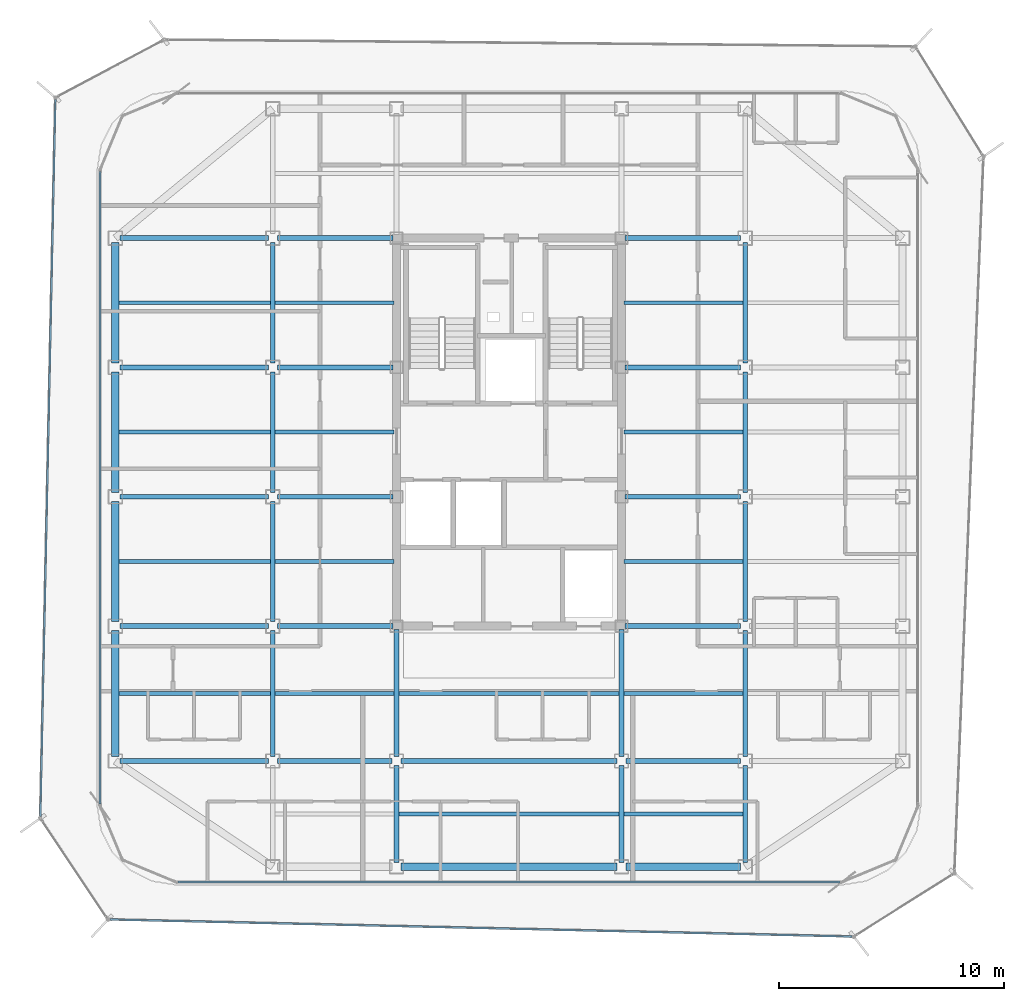
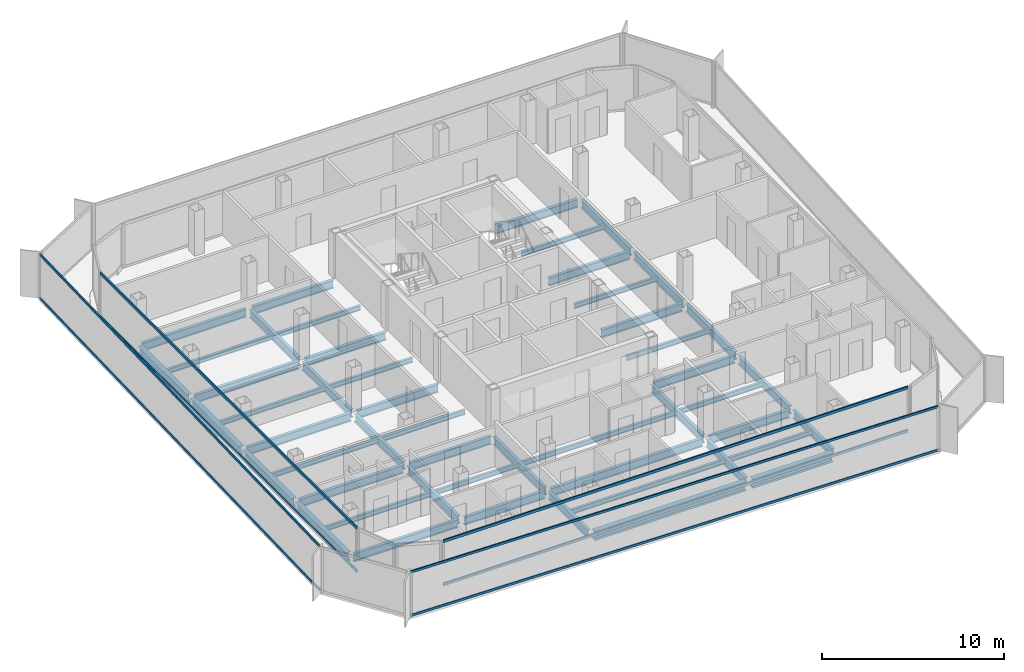
# One storey, part 3 of 15: 50 beams, 8 members, 4 elements without a shape of their own.
"""IFC4 building model written with IfcOpenShell, lengths in metres."""

from ifc_helpers import new_model, si_unit, direction, frame, origin, origin_2d, place, context, subcontext, project, spatial, hollow_rectangle, i_section, extrude, source, transform, mapped, material, layer, layer_set, material_profile, profile_set, type_object, element, aggregate, save


model = new_model("IFC4")

# Units and contexts
model_context = context("Model", 3, precision=1e-05, world=origin(), true_north=direction((0.0, 1.0)))
body_context = subcontext(model_context, "Body", "Model", "MODEL_VIEW")
ifc_project = project(units=[si_unit("LENGTHUNIT", "METRE"), si_unit("AREAUNIT", "SQUARE_METRE"), si_unit("VOLUMEUNIT", "CUBIC_METRE"), si_unit("PLANEANGLEUNIT", "RADIAN"), si_unit("MASSUNIT", "GRAM", prefix="KILO")], contexts=[model_context])

# Site, building, storey
site_placement = place(None, origin())
site = spatial("IfcSite", under=ifc_project, at=site_placement, CompositionType="ELEMENT")
building_placement = place(site_placement, origin())
building = spatial("IfcBuilding", under=site, at=building_placement, Name="Kolveth Station Tower", CompositionType="ELEMENT")
storey_placement = place(building_placement, frame((0.0, 0.0, 255.300048828125)))
storey = spatial("IfcBuildingStorey", under=building, at=storey_placement, Name="L73", CompositionType="ELEMENT", Elevation=255.300048828125)

# Beams
ifc_material_1 = material(Name="Steel S355", Category="steel")
ifc_material_profile_1 = material_profile(ifc_material_1, i_section(OverallWidth=0.323974609375, OverallDepth=0.611083984375, WebThickness=0.0126953125, FlangeThickness=0.01904296875, at=origin_2d()), Name="W610x155")
ifc_profile_set_1 = profile_set([ifc_material_profile_1], Name="Steel S355")
beam_type_1 = type_object("IfcBeamType", Name="Beam_SP2", PredefinedType="SPANDREL", material=ifc_profile_set_1)
shared_shape_1 = source(origin(), body_context, "Body", "SweptSolid", [
    extrude(i_section(OverallWidth=0.323974609375, OverallDepth=0.611083984375, WebThickness=0.0126953125, FlangeThickness=0.01904296875, at=origin_2d()), origin(), (0.0, 0.0, 1.0), 5.10009765625),
])
beam_1_placement = place(storey_placement, frame((28.699951171875, 0.800048828125, -0.525634765625), z_axis=(1.0, 0.0, 0.0), x_axis=(0.0, 1.0, 0.0)))
element("IfcBeam", 1, at=beam_1_placement, inside=storey, type_object=beam_type_1, Name="L73 Perimeter Spandrel BM-L73-PS-3", PredefinedType="SPANDREL", context=body_context, shape_type="MappedRepresentation", body=[
    mapped(shared_shape_1, transform((0.0, 0.0, 0.0), x_axis=(1.0, 0.0, 0.0), y_axis=(0.0, 1.0, 0.0), z_axis=(0.0, 0.0, 1.0), scale=1.0)),
])
shared_shape_2 = source(origin(), body_context, "Body", "SweptSolid", [
    extrude(i_section(OverallWidth=0.323974609375, OverallDepth=0.611083984375, WebThickness=0.0126953125, FlangeThickness=0.01904296875, at=origin_2d()), origin(), (0.0, 0.0, 1.0), 9.60009765625),
])
beam_2_placement = place(storey_placement, frame((18.699951171875, 0.800048828125, -0.525634765625), z_axis=(1.0, 0.0, 0.0), x_axis=(0.0, 1.0, 0.0)))
element("IfcBeam", 2, at=beam_2_placement, inside=storey, type_object=beam_type_1, Name="L73 Perimeter Spandrel BM-L73-PS-2", PredefinedType="SPANDREL", context=body_context, shape_type="MappedRepresentation", body=[
    mapped(shared_shape_2, transform((0.0, 0.0, 0.0), x_axis=(1.0, 0.0, 0.0), y_axis=(0.0, 1.0, 0.0), z_axis=(0.0, 0.0, 1.0), scale=1.0)),
])
shared_shape_3 = source(origin(), body_context, "Body", "SweptSolid", [
    extrude(i_section(OverallWidth=0.323974609375, OverallDepth=0.611083984375, WebThickness=0.0126953125, FlangeThickness=0.01904296875, at=origin_2d()), origin(), (0.0, 0.0, 1.0), 5.60009765625),
])
beam_3_placement = place(storey_placement, frame((6.0, 5.699951171875, -0.525634765625), z_axis=(0.0, 1.0, 0.0), x_axis=(-1.0, 0.0, 0.0)))
element("IfcBeam", 3, at=beam_3_placement, inside=storey, type_object=beam_type_1, Name="L73 Perimeter Spandrel BM-L73-PW-1", PredefinedType="SPANDREL", context=body_context, shape_type="MappedRepresentation", body=[
    mapped(shared_shape_3, transform((0.0, 0.0, 0.0), x_axis=(1.0, 0.0, 0.0), y_axis=(0.0, 1.0, 0.0), z_axis=(0.0, 0.0, 1.0), scale=1.0)),
])
shared_shape_4 = source(origin(), body_context, "Body", "SweptSolid", [
    extrude(i_section(OverallWidth=0.323974609375, OverallDepth=0.611083984375, WebThickness=0.0126953125, FlangeThickness=0.01904296875, at=origin_2d()), origin(), (0.0, 0.0, 1.0), 5.35009765625),
])
for number, where, z_axis, x_axis, name in (
    (4, (6.0, 11.699951171875, -0.525634765625), (0.0, 1.0, 0.0), (-1.0, 0.0, 0.0), "L73 Perimeter Spandrel BM-L73-PW-2"),
    (5, (6.0, 17.449951171875, -0.525634765625), (0.0, 1.0, 0.0), (-1.0, 0.0, 0.0), "L73 Perimeter Spandrel BM-L73-PW-3"),
    (6, (6.0, 23.199951171875, -0.525634765625), (0.0, 1.0, 0.0), (-1.0, 0.0, 0.0), "L73 Perimeter Spandrel BM-L73-PW-4"),
):
    element("IfcBeam", number, at=place(storey_placement, frame(where, z_axis=z_axis, x_axis=x_axis)), inside=storey, type_object=beam_type_1, Name=name, PredefinedType="SPANDREL", context=body_context, shape_type="MappedRepresentation", body=[
        mapped(shared_shape_4, transform((0.0, 0.0, 0.0), x_axis=(1.0, 0.0, 0.0), y_axis=(0.0, 1.0, 0.0), z_axis=(0.0, 0.0, 1.0), scale=1.0)),
    ])
ifc_material_profile_2 = material_profile(ifc_material_1, i_section(OverallWidth=0.2099609375, OverallDepth=0.537109375, WebThickness=0.010986328125, FlangeThickness=0.017333984375, at=origin_2d()), Name="W530x101")
ifc_profile_set_2 = profile_set([ifc_material_profile_2], Name="Steel S355")
beam_type_2 = type_object("IfcBeamType", Name="Beam_B6", PredefinedType="BEAM", material=ifc_profile_set_2)
shared_shape_5 = source(origin(), body_context, "Body", "SweptSolid", [
    extrude(i_section(OverallWidth=0.2099609375, OverallDepth=0.537109375, WebThickness=0.010986328125, FlangeThickness=0.017333984375, at=origin_2d()), origin(), (0.0, 0.0, 1.0), 6.60009765625),
])
for number, where, z_axis, x_axis, name in (
    (7, (6.199951171875, 5.5, -0.488525390625), (1.0, 0.0, 0.0), (0.0, 1.0, 0.0), "L73 Primary Girder BM-L73-GY55-1"),
    (8, (6.199951171875, 11.5, -0.488525390625), (1.0, 0.0, 0.0), (0.0, 1.0, 0.0), "L73 Primary Girder BM-L73-GY115-1"),
    (9, (6.199951171875, 17.25, -0.488525390625), (1.0, 0.0, 0.0), (0.0, 1.0, 0.0), "L73 Primary Girder BM-L73-GY172-1"),
    (10, (6.199951171875, 23.0, -0.488525390625), (1.0, 0.0, 0.0), (0.0, 1.0, 0.0), "L73 Primary Girder BM-L73-GY230-1"),
    (11, (6.199951171875, 28.75, -0.488525390625), (1.0, 0.0, 0.0), (0.0, 1.0, 0.0), "L73 Primary Girder BM-L73-GY287-1"),
):
    element("IfcBeam", number, at=place(storey_placement, frame(where, z_axis=z_axis, x_axis=x_axis)), inside=storey, type_object=beam_type_2, Name=name, PredefinedType="BEAM", context=body_context, shape_type="MappedRepresentation", body=[
        mapped(shared_shape_5, transform((0.0, 0.0, 0.0), x_axis=(1.0, 0.0, 0.0), y_axis=(0.0, 1.0, 0.0), z_axis=(0.0, 0.0, 1.0), scale=1.0)),
    ])
shared_shape_6 = source(origin(), body_context, "Body", "SweptSolid", [
    extrude(i_section(OverallWidth=0.2099609375, OverallDepth=0.537109375, WebThickness=0.010986328125, FlangeThickness=0.017333984375, at=origin_2d()), origin(), (0.0, 0.0, 1.0), 5.10009765625),
])
for number, where, z_axis, x_axis, name in (
    (12, (13.199951171875, 5.5, -0.488525390625), (1.0, 0.0, 0.0), (0.0, 1.0, 0.0), "L73 Primary Girder BM-L73-GY55-2"),
    (13, (28.699951171875, 5.5, -0.488525390625), (1.0, 0.0, 0.0), (0.0, 1.0, 0.0), "L73 Primary Girder BM-L73-GY55-4"),
):
    element("IfcBeam", number, at=place(storey_placement, frame(where, z_axis=z_axis, x_axis=x_axis)), inside=storey, type_object=beam_type_2, Name=name, PredefinedType="BEAM", context=body_context, shape_type="MappedRepresentation", body=[
        mapped(shared_shape_6, transform((0.0, 0.0, 0.0), x_axis=(1.0, 0.0, 0.0), y_axis=(0.0, 1.0, 0.0), z_axis=(0.0, 0.0, 1.0), scale=1.0)),
    ])
shared_shape_7 = source(origin(), body_context, "Body", "SweptSolid", [
    extrude(i_section(OverallWidth=0.2099609375, OverallDepth=0.537109375, WebThickness=0.010986328125, FlangeThickness=0.017333984375, at=origin_2d()), origin(), (0.0, 0.0, 1.0), 9.60009765625),
])
beam_4_placement = place(storey_placement, frame((18.699951171875, 5.5, -0.488525390625), z_axis=(1.0, 0.0, 0.0), x_axis=(0.0, 1.0, 0.0)))
element("IfcBeam", 14, at=beam_4_placement, inside=storey, type_object=beam_type_2, Name="L73 Primary Girder BM-L73-GY55-3", PredefinedType="BEAM", context=body_context, shape_type="MappedRepresentation", body=[
    mapped(shared_shape_7, transform((0.0, 0.0, 0.0), x_axis=(1.0, 0.0, 0.0), y_axis=(0.0, 1.0, 0.0), z_axis=(0.0, 0.0, 1.0), scale=1.0)),
])
shared_shape_8 = source(origin(), body_context, "Body", "SweptSolid", [
    extrude(i_section(OverallWidth=0.2099609375, OverallDepth=0.537109375, WebThickness=0.010986328125, FlangeThickness=0.017333984375, at=origin_2d()), origin(), (0.0, 0.0, 1.0), 5.14013671875),
])
for number, where, z_axis, x_axis, name in (
    (15, (13.199951171875, 11.5, -0.488525390625), (1.0, 0.0, 0.0), (0.0, 1.0, 0.0), "L73 Primary Girder BM-L73-GY115-2"),
    (16, (28.659912109375, 11.5, -0.488525390625), (1.0, 0.0, 0.0), (0.0, 1.0, 0.0), "L73 Primary Girder BM-L73-GY115-4"),
    (17, (13.199951171875, 17.25, -0.488525390625), (1.0, 0.0, 0.0), (0.0, 1.0, 0.0), "L73 Primary Girder BM-L73-GY172-2"),
    (18, (28.659912109375, 17.25, -0.488525390625), (1.0, 0.0, 0.0), (0.0, 1.0, 0.0), "L73 Primary Girder BM-L73-GY172-4"),
    (19, (13.199951171875, 23.0, -0.488525390625), (1.0, 0.0, 0.0), (0.0, 1.0, 0.0), "L73 Primary Girder BM-L73-GY230-2"),
    (20, (28.659912109375, 23.0, -0.488525390625), (1.0, 0.0, 0.0), (0.0, 1.0, 0.0), "L73 Primary Girder BM-L73-GY230-4"),
    (21, (13.199951171875, 28.75, -0.488525390625), (1.0, 0.0, 0.0), (0.0, 1.0, 0.0), "L73 Primary Girder BM-L73-GY287-2"),
    (22, (28.659912109375, 28.75, -0.488525390625), (1.0, 0.0, 0.0), (0.0, 1.0, 0.0), "L73 Primary Girder BM-L73-GY287-4"),
):
    element("IfcBeam", number, at=place(storey_placement, frame(where, z_axis=z_axis, x_axis=x_axis)), inside=storey, type_object=beam_type_2, Name=name, PredefinedType="BEAM", context=body_context, shape_type="MappedRepresentation", body=[
        mapped(shared_shape_8, transform((0.0, 0.0, 0.0), x_axis=(1.0, 0.0, 0.0), y_axis=(0.0, 1.0, 0.0), z_axis=(0.0, 0.0, 1.0), scale=1.0)),
    ])
shared_shape_9 = source(origin(), body_context, "Body", "SweptSolid", [
    extrude(i_section(OverallWidth=0.2099609375, OverallDepth=0.537109375, WebThickness=0.010986328125, FlangeThickness=0.017333984375, at=origin_2d()), origin(), (0.0, 0.0, 1.0), 4.300048828125),
])
for number, where, z_axis, x_axis, name in (
    (23, (18.5, 1.0, -0.488525390625), (0.0, 1.0, 0.0), (-1.0, 0.0, 0.0), "L73 Primary Girder BM-L73-GX185-1"),
    (24, (28.5, 1.0, -0.488525390625), (0.0, 1.0, 0.0), (-1.0, 0.0, 0.0), "L73 Primary Girder BM-L73-GX285-1"),
    (25, (34.0, 1.0, -0.488525390625), (0.0, 1.0, 0.0), (-1.0, 0.0, 0.0), "L73 Primary Girder BM-L73-GX340-1"),
):
    element("IfcBeam", number, at=place(storey_placement, frame(where, z_axis=z_axis, x_axis=x_axis)), inside=storey, type_object=beam_type_2, Name=name, PredefinedType="BEAM", context=body_context, shape_type="MappedRepresentation", body=[
        mapped(shared_shape_9, transform((0.0, 0.0, 0.0), x_axis=(1.0, 0.0, 0.0), y_axis=(0.0, 1.0, 0.0), z_axis=(0.0, 0.0, 1.0), scale=1.0)),
    ])
shared_shape_10 = source(origin(), body_context, "Body", "SweptSolid", [
    extrude(i_section(OverallWidth=0.2099609375, OverallDepth=0.537109375, WebThickness=0.010986328125, FlangeThickness=0.017333984375, at=origin_2d()), origin(), (0.0, 0.0, 1.0), 5.60009765625),
])
for number, where, z_axis, x_axis, name in (
    (26, (13.0, 5.699951171875, -0.488525390625), (0.0, 1.0, 0.0), (-1.0, 0.0, 0.0), "L73 Primary Girder BM-L73-GX130-2"),
    (27, (34.0, 5.699951171875, -0.488525390625), (0.0, 1.0, 0.0), (-1.0, 0.0, 0.0), "L73 Primary Girder BM-L73-GX340-2"),
):
    element("IfcBeam", number, at=place(storey_placement, frame(where, z_axis=z_axis, x_axis=x_axis)), inside=storey, type_object=beam_type_2, Name=name, PredefinedType="BEAM", context=body_context, shape_type="MappedRepresentation", body=[
        mapped(shared_shape_10, transform((0.0, 0.0, 0.0), x_axis=(1.0, 0.0, 0.0), y_axis=(0.0, 1.0, 0.0), z_axis=(0.0, 0.0, 1.0), scale=1.0)),
    ])
shared_shape_11 = source(origin(), body_context, "Body", "SweptSolid", [
    extrude(i_section(OverallWidth=0.2099609375, OverallDepth=0.537109375, WebThickness=0.010986328125, FlangeThickness=0.017333984375, at=origin_2d()), origin(), (0.0, 0.0, 1.0), 5.35009765625),
])
for number, where, z_axis, x_axis, name in (
    (28, (13.0, 11.699951171875, -0.488525390625), (0.0, 1.0, 0.0), (-1.0, 0.0, 0.0), "L73 Primary Girder BM-L73-GX130-3"),
    (29, (13.0, 17.449951171875, -0.488525390625), (0.0, 1.0, 0.0), (-1.0, 0.0, 0.0), "L73 Primary Girder BM-L73-GX130-4"),
    (30, (13.0, 23.199951171875, -0.488525390625), (0.0, 1.0, 0.0), (-1.0, 0.0, 0.0), "L73 Primary Girder BM-L73-GX130-5"),
    (31, (34.0, 11.699951171875, -0.488525390625), (0.0, 1.0, 0.0), (-1.0, 0.0, 0.0), "L73 Primary Girder BM-L73-GX340-3"),
    (32, (34.0, 17.449951171875, -0.488525390625), (0.0, 1.0, 0.0), (-1.0, 0.0, 0.0), "L73 Primary Girder BM-L73-GX340-4"),
    (33, (34.0, 23.199951171875, -0.488525390625), (0.0, 1.0, 0.0), (-1.0, 0.0, 0.0), "L73 Primary Girder BM-L73-GX340-5"),
):
    element("IfcBeam", number, at=place(storey_placement, frame(where, z_axis=z_axis, x_axis=x_axis)), inside=storey, type_object=beam_type_2, Name=name, PredefinedType="BEAM", context=body_context, shape_type="MappedRepresentation", body=[
        mapped(shared_shape_11, transform((0.0, 0.0, 0.0), x_axis=(1.0, 0.0, 0.0), y_axis=(0.0, 1.0, 0.0), z_axis=(0.0, 0.0, 1.0), scale=1.0)),
    ])
shared_shape_12 = source(origin(), body_context, "Body", "SweptSolid", [
    extrude(i_section(OverallWidth=0.2099609375, OverallDepth=0.537109375, WebThickness=0.010986328125, FlangeThickness=0.017333984375, at=origin_2d()), origin(), (0.0, 0.0, 1.0), 5.64013671875),
])
for number, where, z_axis, x_axis, name in (
    (34, (18.5, 5.699951171875, -0.488525390625), (0.0, 1.0, 0.0), (-1.0, 0.0, 0.0), "L73 Primary Girder BM-L73-GX185-2"),
    (35, (28.5, 5.699951171875, -0.488525390625), (0.0, 1.0, 0.0), (-1.0, 0.0, 0.0), "L73 Primary Girder BM-L73-GX285-2"),
):
    element("IfcBeam", number, at=place(storey_placement, frame(where, z_axis=z_axis, x_axis=x_axis)), inside=storey, type_object=beam_type_2, Name=name, PredefinedType="BEAM", context=body_context, shape_type="MappedRepresentation", body=[
        mapped(shared_shape_12, transform((0.0, 0.0, 0.0), x_axis=(1.0, 0.0, 0.0), y_axis=(0.0, 1.0, 0.0), z_axis=(0.0, 0.0, 1.0), scale=1.0)),
    ])
ifc_material_profile_3 = material_profile(ifc_material_1, i_section(OverallWidth=0.1650390625, OverallDepth=0.31005859375, WebThickness=0.005859375, FlangeThickness=0.009765625, at=origin_2d()), Name="W310x39")
ifc_profile_set_3 = profile_set([ifc_material_profile_3], Name="Steel S355")
beam_type_3 = type_object("IfcBeamType", Name="Beam_J3", PredefinedType="JOIST", material=ifc_profile_set_3)
shared_shape_13 = source(origin(), body_context, "Body", "SweptSolid", [
    extrude(i_section(OverallWidth=0.1650390625, OverallDepth=0.31005859375, WebThickness=0.005859375, FlangeThickness=0.009765625, at=origin_2d()), origin(), (0.0, 0.0, 1.0), 6.737060546875),
])
for number, where, z_axis, x_axis, name in (
    (36, (6.159912109375, 8.5, -0.375), (1.0, 0.0, 0.0), (0.0, 1.0, 0.0), "L73 Secondary Joist JST-L73-1-2"),
    (37, (6.159912109375, 14.375, -0.375), (1.0, 0.0, 0.0), (0.0, 1.0, 0.0), "L73 Secondary Joist JST-L73-1-3"),
    (38, (6.159912109375, 20.125, -0.375), (1.0, 0.0, 0.0), (0.0, 1.0, 0.0), "L73 Secondary Joist JST-L73-1-4"),
    (39, (6.159912109375, 25.875, -0.375), (1.0, 0.0, 0.0), (0.0, 1.0, 0.0), "L73 Secondary Joist JST-L73-1-5"),
):
    element("IfcBeam", number, at=place(storey_placement, frame(where, z_axis=z_axis, x_axis=x_axis)), inside=storey, type_object=beam_type_3, Name=name, PredefinedType="JOIST", context=body_context, shape_type="MappedRepresentation", body=[
        mapped(shared_shape_13, transform((0.0, 0.0, 0.0), x_axis=(1.0, 0.0, 0.0), y_axis=(0.0, 1.0, 0.0), z_axis=(0.0, 0.0, 1.0), scale=1.0)),
    ])
shared_shape_14 = source(origin(), body_context, "Body", "SweptSolid", [
    extrude(i_section(OverallWidth=0.1650390625, OverallDepth=0.31005859375, WebThickness=0.005859375, FlangeThickness=0.009765625, at=origin_2d()), origin(), (0.0, 0.0, 1.0), 5.2939453125),
])
for number, where, z_axis, x_axis, name in (
    (40, (13.10302734375, 8.5, -0.375), (1.0, 0.0, 0.0), (0.0, 1.0, 0.0), "L73 Secondary Joist JST-L73-2-2"),
    (41, (13.10302734375, 14.375, -0.375), (1.0, 0.0, 0.0), (0.0, 1.0, 0.0), "L73 Secondary Joist JST-L73-2-3"),
    (42, (13.10302734375, 20.125, -0.375), (1.0, 0.0, 0.0), (0.0, 1.0, 0.0), "L73 Secondary Joist JST-L73-2-4"),
    (43, (13.10302734375, 25.875, -0.375), (1.0, 0.0, 0.0), (0.0, 1.0, 0.0), "L73 Secondary Joist JST-L73-2-5"),
    (44, (28.60302734375, 3.14990234375, -0.375), (1.0, 0.0, 0.0), (0.0, 1.0, 0.0), "L73 Secondary Joist JST-L73-4-1"),
    (45, (28.60302734375, 8.5, -0.375), (1.0, 0.0, 0.0), (0.0, 1.0, 0.0), "L73 Secondary Joist JST-L73-4-2"),
    (46, (28.60302734375, 14.375, -0.375), (1.0, 0.0, 0.0), (0.0, 1.0, 0.0), "L73 Secondary Joist JST-L73-4-3"),
    (47, (28.60302734375, 20.125, -0.375), (1.0, 0.0, 0.0), (0.0, 1.0, 0.0), "L73 Secondary Joist JST-L73-4-4"),
    (48, (28.60302734375, 25.875, -0.375), (1.0, 0.0, 0.0), (0.0, 1.0, 0.0), "L73 Secondary Joist JST-L73-4-5"),
):
    element("IfcBeam", number, at=place(storey_placement, frame(where, z_axis=z_axis, x_axis=x_axis)), inside=storey, type_object=beam_type_3, Name=name, PredefinedType="JOIST", context=body_context, shape_type="MappedRepresentation", body=[
        mapped(shared_shape_14, transform((0.0, 0.0, 0.0), x_axis=(1.0, 0.0, 0.0), y_axis=(0.0, 1.0, 0.0), z_axis=(0.0, 0.0, 1.0), scale=1.0)),
    ])
shared_shape_15 = source(origin(), body_context, "Body", "SweptSolid", [
    extrude(i_section(OverallWidth=0.1650390625, OverallDepth=0.31005859375, WebThickness=0.005859375, FlangeThickness=0.009765625, at=origin_2d()), origin(), (0.0, 0.0, 1.0), 9.7939453125),
])
for number, where, z_axis, x_axis, name in (
    (49, (18.60302734375, 3.14990234375, -0.375), (1.0, 0.0, 0.0), (0.0, 1.0, 0.0), "L73 Secondary Joist JST-L73-3-1"),
    (50, (18.60302734375, 8.5, -0.375), (1.0, 0.0, 0.0), (0.0, 1.0, 0.0), "L73 Secondary Joist JST-L73-3-2"),
):
    element("IfcBeam", number, at=place(storey_placement, frame(where, z_axis=z_axis, x_axis=x_axis)), inside=storey, type_object=beam_type_3, Name=name, PredefinedType="JOIST", context=body_context, shape_type="MappedRepresentation", body=[
        mapped(shared_shape_15, transform((0.0, 0.0, 0.0), x_axis=(1.0, 0.0, 0.0), y_axis=(0.0, 1.0, 0.0), z_axis=(0.0, 0.0, 1.0), scale=1.0)),
    ])

# Curtain wall, members
ifc_material_2 = material(Name="Aluminium 6063-T6 and triple low-E dark glass", Category="aluminium")
ifc_layer_1 = layer(ifc_material_2, 0.199951171875)
ifc_layer_set_1 = layer_set([ifc_layer_1], Name="Aluminium 6063-T6 and triple low-E dark glass")
curtain_wall_type_1 = type_object("IfcCurtainWallType", Name="CurtainWall_CW-Z3", PredefinedType="NOTDEFINED", material=ifc_layer_set_1)
curtain_wall_1_placement = place(storey_placement, origin())
curtain_wall_1 = element("IfcCurtainWall", 51, at=curtain_wall_1_placement, inside=storey, type_object=curtain_wall_type_1, Name="L73 Inner Thermal Curtain Wall 9", PredefinedType="NOTDEFINED")
ifc_material_3 = material(Name="Black anodized aluminium 6063-T6", Category="aluminium")
ifc_material_profile_4 = material_profile(ifc_material_3, hollow_rectangle(XDim=0.0849609375, YDim=0.179931640625, WallThickness=0.0048828125, at=origin_2d()), Name="ALU-85x180x5")
ifc_profile_set_4 = profile_set([ifc_material_profile_4], Name="Black anodized aluminium 6063-T6")
member_type_1 = type_object("IfcMemberType", Name="Transom_TR3", PredefinedType="USERDEFINED", material=ifc_profile_set_4)
shared_shape_16 = source(origin(), body_context, "Body", "SweptSolid", [
    extrude(hollow_rectangle(XDim=0.0849609375, YDim=0.179931640625, WallThickness=0.0048828125, at=origin_2d()), origin(), (0.0, 0.0, 1.0), 28.130126953125),
])
member_1_placement = place(storey_placement, frame((5.320068359375, 31.715087890625, 0.04248046875), z_axis=(0.0, -1.0, 0.0), x_axis=(1.0, 0.0, 0.0)))
member_1 = element("IfcMember", 52, at=member_1_placement, type_object=member_type_1, Name="CW-Z3 transom 1.1", ObjectType="TRANSOM", PredefinedType="USERDEFINED", context=body_context, shape_type="MappedRepresentation", body=[
    mapped(shared_shape_16, transform((0.0, 0.0, 0.0), x_axis=(1.0, 0.0, 0.0), y_axis=(0.0, 1.0, 0.0), z_axis=(0.0, 0.0, 1.0), scale=1.0)),
])
member_2_placement = place(storey_placement, frame((5.320068359375, 31.715087890625, 2.9375), z_axis=(0.0, -1.0, 0.0), x_axis=(1.0, 0.0, 0.0)))
member_2 = element("IfcMember", 53, at=member_2_placement, type_object=member_type_1, Name="CW-Z3 transom 1.2", ObjectType="TRANSOM", PredefinedType="USERDEFINED", context=body_context, shape_type="MappedRepresentation", body=[
    mapped(shared_shape_16, transform((0.0, 0.0, 0.0), x_axis=(1.0, 0.0, 0.0), y_axis=(0.0, 1.0, 0.0), z_axis=(0.0, 0.0, 1.0), scale=1.0)),
])
aggregate(curtain_wall_1, [member_1, member_2])

curtain_wall_2_placement = place(storey_placement, origin())
curtain_wall_2 = element("IfcCurtainWall", 54, at=curtain_wall_2_placement, inside=storey, type_object=curtain_wall_type_1, Name="L73 Inner Thermal Curtain Wall 12", PredefinedType="NOTDEFINED")
shared_shape_17 = source(origin(), body_context, "Body", "SweptSolid", [
    extrude(hollow_rectangle(XDim=0.0849609375, YDim=0.179931640625, WallThickness=0.0048828125, at=origin_2d()), origin(), (0.0, 0.0, 1.0), 29.43017578125),
])
member_3_placement = place(storey_placement, frame((8.784912109375, 0.1201171875, 0.04248046875), z_axis=(1.0, 0.0, 0.0), x_axis=(0.0, 1.0, 0.0)))
member_3 = element("IfcMember", 55, at=member_3_placement, type_object=member_type_1, Name="CW-Z3 transom 1.1", ObjectType="TRANSOM", PredefinedType="USERDEFINED", context=body_context, shape_type="MappedRepresentation", body=[
    mapped(shared_shape_17, transform((0.0, 0.0, 0.0), x_axis=(1.0, 0.0, 0.0), y_axis=(0.0, 1.0, 0.0), z_axis=(0.0, 0.0, 1.0), scale=1.0)),
])
member_4_placement = place(storey_placement, frame((8.784912109375, 0.1201171875, 2.9375), z_axis=(1.0, 0.0, 0.0), x_axis=(0.0, 1.0, 0.0)))
member_4 = element("IfcMember", 56, at=member_4_placement, type_object=member_type_1, Name="CW-Z3 transom 1.2", ObjectType="TRANSOM", PredefinedType="USERDEFINED", context=body_context, shape_type="MappedRepresentation", body=[
    mapped(shared_shape_17, transform((0.0, 0.0, 0.0), x_axis=(1.0, 0.0, 0.0), y_axis=(0.0, 1.0, 0.0), z_axis=(0.0, 0.0, 1.0), scale=1.0)),
])
aggregate(curtain_wall_2, [member_3, member_4])

ifc_material_4 = material(Name="Black anodized aluminium 6063-T6 and dark solar glass", Category="aluminium")
ifc_layer_2 = layer(ifc_material_4, 0.159912109375)
ifc_layer_set_2 = layer_set([ifc_layer_2], Name="Black anodized aluminium 6063-T6 and dark solar glass")
curtain_wall_type_2 = type_object("IfcCurtainWallType", Name="OUTER SKIN CW-OS", PredefinedType="NOTDEFINED", material=ifc_layer_set_2)
curtain_wall_3_placement = place(storey_placement, origin())
curtain_wall_3 = element("IfcCurtainWall", 57, at=curtain_wall_3_placement, inside=storey, type_object=curtain_wall_type_2, Name="L73 Outer Ventilated Skin Curtain Wall 6", PredefinedType="NOTDEFINED")
ifc_material_profile_5 = material_profile(ifc_material_3, hollow_rectangle(XDim=0.080078125, YDim=0.14990234375, WallThickness=0.0048828125, at=origin_2d()), Name="ALU-80x150x5")
ifc_profile_set_5 = profile_set([ifc_material_profile_5], Name="Black anodized aluminium 6063-T6")
member_type_2 = type_object("IfcMemberType", Name="Transom_TR-OS", PredefinedType="USERDEFINED", material=ifc_profile_set_5)
shared_shape_18 = source(origin(), body_context, "Body", "SweptSolid", [
    extrude(hollow_rectangle(XDim=0.080078125, YDim=0.14990234375, WallThickness=0.0048828125, at=origin_2d()), origin(), (0.0, 0.0, 1.0), 31.8662109375),
])
member_5_placement = place(storey_placement, frame((3.33251953125, 34.904296875, 0.0400390625), z_axis=(-0.020923423371, -0.999781081215, 0.0), x_axis=(0.999781081215, -0.020923423371, 0.0)))
member_5 = element("IfcMember", 58, at=member_5_placement, type_object=member_type_2, Name="CW-OS transom 1.1", ObjectType="TRANSOM", PredefinedType="USERDEFINED", context=body_context, shape_type="MappedRepresentation", body=[
    mapped(shared_shape_18, transform((0.0, 0.0, 0.0), x_axis=(1.0, 0.0, 0.0), y_axis=(0.0, 1.0, 0.0), z_axis=(0.0, 0.0, 1.0), scale=1.0)),
])
member_6_placement = place(storey_placement, frame((3.33251953125, 34.904296875, 2.949951171875), z_axis=(-0.020923423371, -0.999781081215, 0.0), x_axis=(0.999781081215, -0.020923423371, 0.0)))
member_6 = element("IfcMember", 59, at=member_6_placement, type_object=member_type_2, Name="CW-OS transom 1.2", ObjectType="TRANSOM", PredefinedType="USERDEFINED", context=body_context, shape_type="MappedRepresentation", body=[
    mapped(shared_shape_18, transform((0.0, 0.0, 0.0), x_axis=(1.0, 0.0, 0.0), y_axis=(0.0, 1.0, 0.0), z_axis=(0.0, 0.0, 1.0), scale=1.0)),
])
aggregate(curtain_wall_3, [member_5, member_6])

curtain_wall_4_placement = place(storey_placement, origin())
curtain_wall_4 = element("IfcCurtainWall", 60, at=curtain_wall_4_placement, inside=storey, type_object=curtain_wall_type_2, Name="L73 Outer Ventilated Skin Curtain Wall 8", PredefinedType="NOTDEFINED")
shared_shape_19 = source(origin(), body_context, "Body", "SweptSolid", [
    extrude(hollow_rectangle(XDim=0.080078125, YDim=0.14990234375, WallThickness=0.0048828125, at=origin_2d()), origin(), (0.0, 0.0, 1.0), 32.986328125),
])
member_7_placement = place(storey_placement, frame((5.76318359375, -1.5439453125, 0.0400390625), z_axis=(0.999735221601, -0.023010577778, 0.0), x_axis=(0.023010577778, 0.999735221601, 0.0)))
member_7 = element("IfcMember", 61, at=member_7_placement, type_object=member_type_2, Name="CW-OS transom 1.1", ObjectType="TRANSOM", PredefinedType="USERDEFINED", context=body_context, shape_type="MappedRepresentation", body=[
    mapped(shared_shape_19, transform((0.0, 0.0, 0.0), x_axis=(1.0, 0.0, 0.0), y_axis=(0.0, 1.0, 0.0), z_axis=(0.0, 0.0, 1.0), scale=1.0)),
])
member_8_placement = place(storey_placement, frame((5.76318359375, -1.5439453125, 2.949951171875), z_axis=(0.999735221601, -0.023010577778, 0.0), x_axis=(0.023010577778, 0.999735221601, 0.0)))
member_8 = element("IfcMember", 62, at=member_8_placement, type_object=member_type_2, Name="CW-OS transom 1.2", ObjectType="TRANSOM", PredefinedType="USERDEFINED", context=body_context, shape_type="MappedRepresentation", body=[
    mapped(shared_shape_19, transform((0.0, 0.0, 0.0), x_axis=(1.0, 0.0, 0.0), y_axis=(0.0, 1.0, 0.0), z_axis=(0.0, 0.0, 1.0), scale=1.0)),
])
aggregate(curtain_wall_4, [member_7, member_8])

save(model, "model.ifc")
